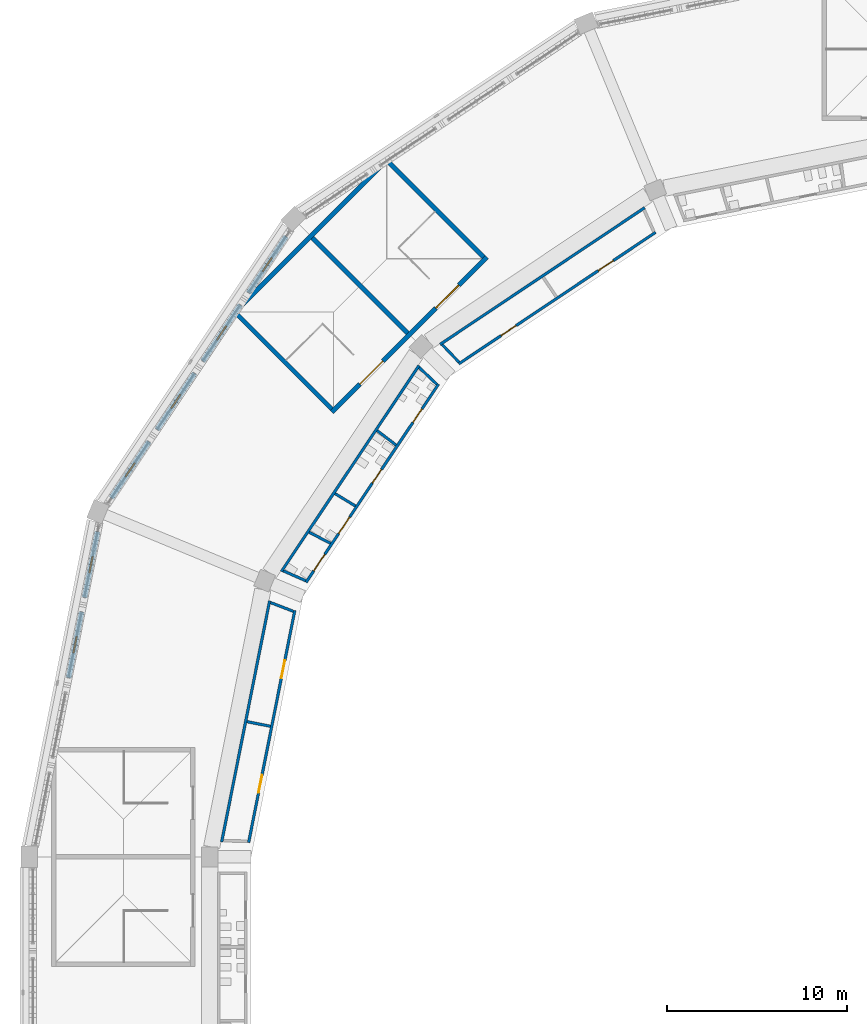
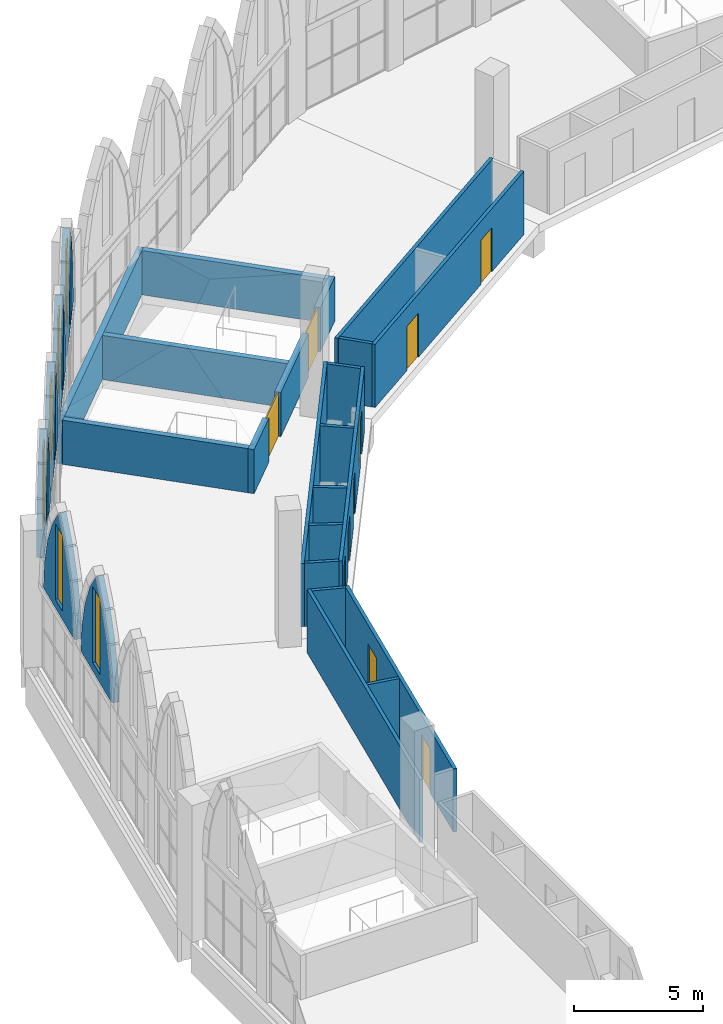
# One storey, part 78 of 130: 25 walls, 10 doors, 6 windows, 16 openings.
"""IFC4 building model written with IfcOpenShell, lengths in metres."""

from ifc_helpers import new_model, si_unit, direction, frame, frame_2d, origin, place, context, subcontext, project, spatial, polyline, rectangle, outline, extrude, material, layer, layer_set, type_object, element, fill, save


model = new_model("IFC4")

# Units and contexts
model_context = context("Model", 3, precision=1e-05, world=origin(), true_north=direction((0.0, 1.0)))
body_context = subcontext(model_context, "Body", "Model", "MODEL_VIEW")
ifc_project = project(units=[si_unit("LENGTHUNIT", "METRE"), si_unit("AREAUNIT", "SQUARE_METRE"), si_unit("VOLUMEUNIT", "CUBIC_METRE"), si_unit("PLANEANGLEUNIT", "RADIAN"), si_unit("MASSUNIT", "GRAM", prefix="KILO")], contexts=[model_context])

# Site, building, storey
site_placement = place(None, origin())
site = spatial("IfcSite", under=ifc_project, at=site_placement, CompositionType="ELEMENT")
building_placement = place(site_placement, origin())
building = spatial("IfcBuilding", under=site, at=building_placement, Name="Ogive Plaza Stadium", CompositionType="ELEMENT")
storey_placement = place(building_placement, frame((0.0, 0.0, 22.5)))
storey = spatial("IfcBuildingStorey", under=building, at=storey_placement, Name="L05", CompositionType="ELEMENT", Elevation=22.5)

# Wall, openings, doors
ifc_material_1 = material(Name="Masonry blockwork", Category="masonry")
ifc_layer_1 = layer(ifc_material_1, 0.14990234375)
ifc_layer_set_1 = layer_set([ifc_layer_1], Name="Blockwork wall 150")
wall_type_1 = type_object("IfcWallType", Name="Blockwork wall 150", PredefinedType="SOLIDWALL", material=ifc_layer_set_1)
wall_1_placement = place(storey_placement, frame((-71.84228515625, 53.29345703125, 0.0), z_axis=(0.0, 0.0, 1.0), x_axis=(0.195095631841, 0.980784224198, 0.0)))
wall_1 = element("IfcWall", 1, at=wall_1_placement, inside=storey, type_object=wall_type_1, Name="Wall L05 B28", PredefinedType="SOLIDWALL", context=body_context, shape_type="SweptSolid", body=[
    extrude(rectangle(XDim=13.11328125, YDim=0.14990234375, at=frame_2d((6.556640625, 0.0))), origin(), (0.0, 0.0, 1.0), 3.0),
])
opening_1_placement = place(wall_1_placement, frame((2.81494140625, 0.0, 0.0)))
opening_1 = element("IfcOpeningElement", 2, at=opening_1_placement, cuts=wall_1, Name="Opening D0999", PredefinedType="OPENING", context=body_context, shape_type="SweptSolid", body=[
    extrude(rectangle(XDim=1.0, YDim=2.10009765625, at=frame_2d((0.5, 1.050048828125))), frame((0.0, 0.074951171875, 0.0), z_axis=(0.0, -1.0, 0.0), x_axis=(1.0, 0.0, 0.0)), (0.0, 0.0, 1.0), 0.14990234375),
])
opening_2_placement = place(wall_1_placement, frame((9.298095703125, 0.0, 0.0)))
opening_2 = element("IfcOpeningElement", 3, at=opening_2_placement, cuts=wall_1, Name="Opening D1000", PredefinedType="OPENING", context=body_context, shape_type="SweptSolid", body=[
    extrude(rectangle(XDim=1.0, YDim=2.10009765625, at=frame_2d((0.5, 1.050048828125))), frame((0.0, 0.074951171875, 0.0), z_axis=(0.0, -1.0, 0.0), x_axis=(1.0, 0.0, 0.0)), (0.0, 0.0, 1.0), 0.14990234375),
])
ifc_material_2 = material(Name="Steel ASTM A572 Grade 50", Category="steel")
door_type_1 = type_object("IfcDoorType", Name="Door 1000 x 2100", OperationType="SINGLE_SWING_LEFT", PredefinedType="DOOR", material=ifc_material_2)
door_1_placement = place(opening_1_placement, origin())
door_1 = element("IfcDoor", 4, at=door_1_placement, inside=storey, type_object=door_type_1, Name="Concession Stand B28 door", OperationType="SINGLE_SWING_LEFT", OverallHeight=2.10009765625, OverallWidth=1.0, PredefinedType="DOOR", context=body_context, shape_type="SweptSolid", body=[
    extrude(rectangle(XDim=1.0, YDim=2.10009765625, at=frame_2d((0.5, 1.050048828125))), frame((0.0, 0.02490234375, 0.0), z_axis=(0.0, -1.0, 0.0), x_axis=(1.0, 0.0, 0.0)), (0.0, 0.0, 1.0), 0.050048828125),
])
fill(opening_1, door_1)
door_2_placement = place(opening_2_placement, origin())
door_2 = element("IfcDoor", 5, at=door_2_placement, inside=storey, type_object=door_type_1, Name="Concession Stand B28 door", OperationType="SINGLE_SWING_RIGHT", OverallHeight=2.10009765625, OverallWidth=1.0, PredefinedType="DOOR", context=body_context, shape_type="SweptSolid", body=[
    extrude(rectangle(XDim=1.0, YDim=2.10009765625, at=frame_2d((0.5, 1.050048828125))), frame((0.0, 0.02490234375, 0.0), z_axis=(0.0, -1.0, 0.0), x_axis=(1.0, 0.0, 0.0)), (0.0, 0.0, 1.0), 0.050048828125),
])
fill(opening_2, door_2)

# Walls
wall_2_placement = place(storey_placement, frame((-73.3359375, 53.32470703125, 0.0), z_axis=(0.0, 0.0, 1.0), x_axis=(0.195086146928, 0.980786110871, 0.0)))
element("IfcWall", 6, at=wall_2_placement, inside=storey, type_object=wall_type_1, Name="Wall L05 B28", PredefinedType="SOLIDWALL", context=body_context, shape_type="SweptSolid", body=[
    extrude(rectangle(XDim=13.630859375, YDim=0.14990234375, at=frame_2d((6.8154296875, 0.0))), origin(), (0.0, 0.0, 1.0), 3.0),
])
wall_3_placement = place(storey_placement, frame((-70.63525390625, 59.73828125, 0.0), z_axis=(0.0, 0.0, 1.0), x_axis=(-0.981038980953, 0.193810520485, 0.0)))
element("IfcWall", 7, at=wall_3_placement, inside=storey, type_object=wall_type_1, Name="Wall L05 B28", PredefinedType="SOLIDWALL", context=body_context, shape_type="SweptSolid", body=[
    extrude(rectangle(XDim=1.323974609375, YDim=0.14990234375, at=frame_2d((0.662109375, 0.0))), origin(), (0.0, 0.0, 1.0), 3.0),
])
wall_4_placement = place(storey_placement, frame((-69.367919921875, 66.109375, 0.0), z_axis=(0.0, 0.0, 1.0), x_axis=(-0.933331557443, 0.359015603953, 0.0)))
element("IfcWall", 8, at=wall_4_placement, inside=storey, type_object=wall_type_1, Name="Wall L05 B28", PredefinedType="SOLIDWALL", context=body_context, shape_type="SweptSolid", body=[
    extrude(rectangle(XDim=1.34375, YDim=0.14990234375, at=frame_2d((0.671875, 0.0))), origin(), (0.0, 0.0, 1.0), 3.0),
])

# Wall, openings, doors
wall_5_placement = place(storey_placement, frame((-60.197265625, 79.819580078125, 0.0), z_axis=(0.0, 0.0, 1.0), x_axis=(0.831471244595, 0.555567790114, 0.0)))
wall_5 = element("IfcWall", 9, at=wall_5_placement, inside=storey, type_object=wall_type_1, Name="Wall L05 B30", PredefinedType="SOLIDWALL", context=body_context, shape_type="SweptSolid", body=[
    extrude(rectangle(XDim=13.113037109375, YDim=0.14990234375, at=frame_2d((6.556640625, 0.0))), origin(), (0.0, 0.0, 1.0), 3.0),
])
opening_3_placement = place(wall_5_placement, frame((2.81494140625, 0.0, 0.0)))
opening_3 = element("IfcOpeningElement", 10, at=opening_3_placement, cuts=wall_5, Name="Opening D1005", PredefinedType="OPENING", context=body_context, shape_type="SweptSolid", body=[
    extrude(rectangle(XDim=1.0, YDim=2.10009765625, at=frame_2d((0.5, 1.050048828125))), frame((0.0, 0.074951171875, 0.0), z_axis=(0.0, -1.0, 0.0), x_axis=(1.0, 0.0, 0.0)), (0.0, 0.0, 1.0), 0.14990234375),
])
opening_4_placement = place(wall_5_placement, frame((9.298095703125, 0.0, 0.0)))
opening_4 = element("IfcOpeningElement", 11, at=opening_4_placement, cuts=wall_5, Name="Opening D1006", PredefinedType="OPENING", context=body_context, shape_type="SweptSolid", body=[
    extrude(rectangle(XDim=1.0, YDim=2.10009765625, at=frame_2d((0.5, 1.050048828125))), frame((0.0, 0.074951171875, 0.0), z_axis=(0.0, -1.0, 0.0), x_axis=(1.0, 0.0, 0.0)), (0.0, 0.0, 1.0), 0.14990234375),
])
door_3_placement = place(opening_3_placement, origin())
door_3 = element("IfcDoor", 12, at=door_3_placement, inside=storey, type_object=door_type_1, Name="Concession Stand B30 door", OperationType="SINGLE_SWING_LEFT", OverallHeight=2.10009765625, OverallWidth=1.0, PredefinedType="DOOR", context=body_context, shape_type="SweptSolid", body=[
    extrude(rectangle(XDim=1.0, YDim=2.10009765625, at=frame_2d((0.5, 1.050048828125))), frame((0.0, 0.02490234375, 0.0), z_axis=(0.0, -1.0, 0.0), x_axis=(1.0, 0.0, 0.0)), (0.0, 0.0, 1.0), 0.050048828125),
])
fill(opening_3, door_3)
door_4_placement = place(opening_4_placement, origin())
door_4 = element("IfcDoor", 13, at=door_4_placement, inside=storey, type_object=door_type_1, Name="Concession Stand B30 door", OperationType="SINGLE_SWING_RIGHT", OverallHeight=2.10009765625, OverallWidth=1.0, PredefinedType="DOOR", context=body_context, shape_type="SweptSolid", body=[
    extrude(rectangle(XDim=1.0, YDim=2.10009765625, at=frame_2d((0.5, 1.050048828125))), frame((0.0, 0.02490234375, 0.0), z_axis=(0.0, -1.0, 0.0), x_axis=(1.0, 0.0, 0.0)), (0.0, 0.0, 1.0), 0.050048828125),
])
fill(opening_4, door_4)

# Walls
wall_6_placement = place(storey_placement, frame((-61.2314453125, 80.89794921875, 0.0), z_axis=(0.0, 0.0, 1.0), x_axis=(0.831471173823, 0.555567896033, 0.0)))
element("IfcWall", 14, at=wall_6_placement, inside=storey, type_object=wall_type_1, Name="Wall L05 B30", PredefinedType="SOLIDWALL", context=body_context, shape_type="SweptSolid", body=[
    extrude(rectangle(XDim=13.630615234375, YDim=0.14990234375, at=frame_2d((6.8154296875, 0.0))), origin(), (0.0, 0.0, 1.0), 3.0),
])
wall_7_placement = place(storey_placement, frame((-60.187744140625, 79.914306640625, 0.0), z_axis=(0.0, 0.0, 1.0), x_axis=(-0.690665776072, 0.723174104738, 0.0)))
element("IfcWall", 15, at=wall_7_placement, inside=storey, type_object=wall_type_1, Name="Wall L05 B30", PredefinedType="SOLIDWALL", context=body_context, shape_type="SweptSolid", body=[
    extrude(rectangle(XDim=1.34423828125, YDim=0.14990234375, at=frame_2d((0.672119140625, 0.0))), origin(), (0.0, 0.0, 1.0), 3.0),
])

# Wall, openings, doors
ifc_material_3 = material(Name="Concrete C40/50", Category="concrete")
ifc_layer_2 = layer(ifc_material_3, 0.25)
ifc_layer_set_2 = layer_set([ifc_layer_2], Name="Concrete C40/50")
wall_type_2 = type_object("IfcWallType", Name="Core wall 250", PredefinedType="SHEAR", material=ifc_layer_set_2)
wall_8_placement = place(storey_placement, frame((-58.642578125, 85.734130859375, 0.0), z_axis=(0.0, 0.0, 1.0), x_axis=(-0.707106781187, -0.707106781187, 0.0)))
wall_8 = element("IfcWall", 16, at=wall_8_placement, inside=storey, type_object=wall_type_2, Name="Stair core R30 inner wall", PredefinedType="SHEAR", context=body_context, shape_type="SweptSolid", body=[
    extrude(rectangle(XDim=12.150390625, YDim=0.25, at=frame_2d((6.0751953125, 0.0))), origin(), (0.0, 0.0, 1.0), 2.10009765625),
])
opening_5_placement = place(wall_8_placement, frame((2.199951171875, 0.0, 0.0)))
opening_5 = element("IfcOpeningElement", 17, at=opening_5_placement, cuts=wall_8, Name="Opening D0231", PredefinedType="OPENING", context=body_context, shape_type="SweptSolid", body=[
    extrude(rectangle(XDim=1.800048828125, YDim=2.10009765625, at=frame_2d((0.89990234375, 1.050048828125))), frame((0.0, 0.125, 0.0), z_axis=(0.0, -1.0, 0.0), x_axis=(1.0, 0.0, 0.0)), (0.0, 0.0, 1.0), 0.25),
])
opening_6_placement = place(wall_8_placement, frame((8.14990234375, 0.0, 0.0)))
opening_6 = element("IfcOpeningElement", 18, at=opening_6_placement, cuts=wall_8, Name="Opening D0232", PredefinedType="OPENING", context=body_context, shape_type="SweptSolid", body=[
    extrude(rectangle(XDim=1.800048828125, YDim=2.10009765625, at=frame_2d((0.89990234375, 1.050048828125))), frame((0.0, 0.125, 0.0), z_axis=(0.0, -1.0, 0.0), x_axis=(1.0, 0.0, 0.0)), (0.0, 0.0, 1.0), 0.25),
])
ifc_material_4 = material(Name="Steel ASTM A572 Grade 50", Category="steel")
door_type_2 = type_object("IfcDoorType", Name="Fire door FD90 pair 1800 x 2100", OperationType="DOUBLE_DOOR_SINGLE_SWING", PredefinedType="DOOR", material=ifc_material_4)
door_5_placement = place(opening_5_placement, origin())
door_5 = element("IfcDoor", 19, at=door_5_placement, inside=storey, type_object=door_type_2, Name="Exit stair R30A door L05", OperationType="DOUBLE_DOOR_SINGLE_SWING", OverallHeight=2.10009765625, OverallWidth=1.800048828125, PredefinedType="DOOR", context=body_context, shape_type="SweptSolid", body=[
    extrude(rectangle(XDim=1.800048828125, YDim=2.10009765625, at=frame_2d((0.89990234375, 1.050048828125))), frame((0.0, 0.02490234375, 0.0), z_axis=(0.0, -1.0, 0.0), x_axis=(1.0, 0.0, 0.0)), (0.0, 0.0, 1.0), 0.050048828125),
])
fill(opening_5, door_5)
door_6_placement = place(opening_6_placement, origin())
door_6 = element("IfcDoor", 20, at=door_6_placement, inside=storey, type_object=door_type_2, Name="Exit stair R30B door L05", OperationType="DOUBLE_DOOR_SINGLE_SWING", OverallHeight=2.10009765625, OverallWidth=1.800048828125, PredefinedType="DOOR", context=body_context, shape_type="SweptSolid", body=[
    extrude(rectangle(XDim=1.800048828125, YDim=2.10009765625, at=frame_2d((0.89990234375, 1.050048828125))), frame((0.0, 0.02490234375, 0.0), z_axis=(0.0, -1.0, 0.0), x_axis=(1.0, 0.0, 0.0)), (0.0, 0.0, 1.0), 0.050048828125),
])
fill(opening_6, door_6)

# Walls
wall_9_placement = place(storey_placement, frame((-64.094482421875, 91.185791015625, 0.0), z_axis=(0.0, 0.0, 1.0), x_axis=(-0.707106781187, -0.707106781187, 0.0)))
element("IfcWall", 21, at=wall_9_placement, inside=storey, type_object=wall_type_2, Name="Stair core R30 outer wall", PredefinedType="SHEAR", context=body_context, shape_type="SweptSolid", body=[
    extrude(rectangle(XDim=12.14990234375, YDim=0.25, at=frame_2d((6.074951171875, 0.0))), origin(), (0.0, 0.0, 1.0), 2.10009765625),
])
for number, where, z_axis, x_axis, name in (
    (22, (-58.8193359375, 85.734130859375, 0.0), (0.0, 0.0, 1.0), (-0.707123144286, 0.707090417709, 0.0), "Stair core R30 side wall"),
    (23, (-67.234130859375, 77.3193359375, 0.0), (0.0, 0.0, 1.0), (-0.707090417709, 0.707123144286, 0.0), "Stair core R30 side wall"),
):
    element("IfcWall", number, at=place(storey_placement, frame(where, z_axis=z_axis, x_axis=x_axis)), inside=storey, type_object=wall_type_2, Name=name, PredefinedType="SHEAR", context=body_context, shape_type="SweptSolid", body=[
        extrude(rectangle(XDim=7.4599609375, YDim=0.25, at=frame_2d((3.72998046875, 0.0))), origin(), (0.0, 0.0, 1.0), 2.10009765625),
    ])
wall_10_placement = place(storey_placement, frame((-63.026611328125, 81.526611328125, 0.0), z_axis=(0.0, 0.0, 1.0), x_axis=(-0.707106781187, 0.707106781187, 0.0)))
element("IfcWall", 24, at=wall_10_placement, inside=storey, type_object=wall_type_2, Name="Stair core R30 centre wall", PredefinedType="SHEAR", context=body_context, shape_type="SweptSolid", body=[
    extrude(rectangle(XDim=7.460205078125, YDim=0.25, at=frame_2d((3.72998046875, 0.0))), origin(), (0.0, 0.0, 1.0), 2.10009765625),
])

# Wall, openings, doors
ifc_material_5 = material(Name="Gypsum board partition", Category="gypsum")
ifc_layer_3 = layer(ifc_material_5, 0.14990234375)
ifc_layer_set_3 = layer_set([ifc_layer_3], Name="Partition 150")
wall_type_3 = type_object("IfcWallType", Name="Partition 150", PredefinedType="PARTITIONING", material=ifc_layer_set_3)
wall_11_placement = place(storey_placement, frame((-61.319580078125, 78.697265625, 0.0), z_axis=(0.0, 0.0, 1.0), x_axis=(-0.555570028225, -0.831469749142, 0.0)))
wall_11 = element("IfcWall", 25, at=wall_11_placement, inside=storey, type_object=wall_type_3, Name="Wall L05 B29", PredefinedType="PARTITIONING", context=body_context, shape_type="SweptSolid", body=[
    extrude(rectangle(XDim=13.208740234375, YDim=0.14990234375, at=frame_2d((6.6044921875, 0.0))), origin(), (0.0, 0.0, 1.0), 3.0),
])
opening_7_placement = place(wall_11_placement, frame((1.648193359375, 0.0, 0.0)))
opening_7 = element("IfcOpeningElement", 26, at=opening_7_placement, cuts=wall_11, Name="Opening D1001", PredefinedType="OPENING", context=body_context, shape_type="SweptSolid", body=[
    extrude(rectangle(XDim=0.89990234375, YDim=2.10009765625, at=frame_2d((0.449951171875, 1.050048828125))), frame((0.0, 0.074951171875, 0.0), z_axis=(0.0, -1.0, 0.0), x_axis=(1.0, 0.0, 0.0)), (0.0, 0.0, 1.0), 0.14990234375),
])
opening_8_placement = place(wall_11_placement, frame((5.697265625, 0.0, 0.0)))
opening_8 = element("IfcOpeningElement", 27, at=opening_8_placement, cuts=wall_11, Name="Opening D1002", PredefinedType="OPENING", context=body_context, shape_type="SweptSolid", body=[
    extrude(rectangle(XDim=0.89990234375, YDim=2.10009765625, at=frame_2d((0.449951171875, 1.050048828125))), frame((0.0, 0.074951171875, 0.0), z_axis=(0.0, -1.0, 0.0), x_axis=(1.0, 0.0, 0.0)), (0.0, 0.0, 1.0), 0.14990234375),
])
opening_9_placement = place(wall_11_placement, frame((8.862548828125, 0.0, 0.0)))
opening_9 = element("IfcOpeningElement", 28, at=opening_9_placement, cuts=wall_11, Name="Opening D1003", PredefinedType="OPENING", context=body_context, shape_type="SweptSolid", body=[
    extrude(rectangle(XDim=1.10009765625, YDim=2.10009765625, at=frame_2d((0.550048828125, 1.050048828125))), frame((0.0, 0.074951171875, 0.0), z_axis=(0.0, -1.0, 0.0), x_axis=(1.0, 0.0, 0.0)), (0.0, 0.0, 1.0), 0.14990234375),
])
opening_10_placement = place(wall_11_placement, frame((11.344482421875, 0.0, 0.0)))
opening_10 = element("IfcOpeningElement", 29, at=opening_10_placement, cuts=wall_11, Name="Opening D1004", PredefinedType="OPENING", context=body_context, shape_type="SweptSolid", body=[
    extrude(rectangle(XDim=1.10009765625, YDim=2.10009765625, at=frame_2d((0.550048828125, 1.050048828125))), frame((0.0, 0.074951171875, 0.0), z_axis=(0.0, -1.0, 0.0), x_axis=(1.0, 0.0, 0.0)), (0.0, 0.0, 1.0), 0.14990234375),
])
ifc_material_6 = material(Name="Steel ASTM A572 Grade 50", Category="steel")
door_type_3 = type_object("IfcDoorType", Name="Accessible door 1100 x 2100", OperationType="SINGLE_SWING_LEFT", PredefinedType="DOOR", material=ifc_material_6)
door_7_placement = place(opening_9_placement, origin())
door_7 = element("IfcDoor", 30, at=door_7_placement, inside=storey, type_object=door_type_3, Name="Accessible WC B29 door", OperationType="SINGLE_SWING_LEFT", OverallHeight=2.10009765625, OverallWidth=1.10009765625, PredefinedType="DOOR", context=body_context, shape_type="SweptSolid", body=[
    extrude(rectangle(XDim=1.10009765625, YDim=2.10009765625, at=frame_2d((0.550048828125, 1.050048828125))), frame((0.0, 0.02490234375, 0.0), z_axis=(0.0, -1.0, 0.0), x_axis=(1.0, 0.0, 0.0)), (0.0, 0.0, 1.0), 0.050048828125),
])
fill(opening_9, door_7)
door_8_placement = place(opening_10_placement, origin())
door_8 = element("IfcDoor", 31, at=door_8_placement, inside=storey, type_object=door_type_3, Name="Family WC B29 door", OperationType="SINGLE_SWING_LEFT", OverallHeight=2.10009765625, OverallWidth=1.10009765625, PredefinedType="DOOR", context=body_context, shape_type="SweptSolid", body=[
    extrude(rectangle(XDim=1.10009765625, YDim=2.10009765625, at=frame_2d((0.550048828125, 1.050048828125))), frame((0.0, 0.02490234375, 0.0), z_axis=(0.0, -1.0, 0.0), x_axis=(1.0, 0.0, 0.0)), (0.0, 0.0, 1.0), 0.050048828125),
])
fill(opening_10, door_8)
ifc_material_7 = material(Name="Steel ASTM A572 Grade 50", Category="steel")
door_type_4 = type_object("IfcDoorType", Name="Door 900 x 2100", OperationType="SINGLE_SWING_LEFT", PredefinedType="DOOR", material=ifc_material_7)
door_9_placement = place(opening_7_placement, origin())
door_9 = element("IfcDoor", 32, at=door_9_placement, inside=storey, type_object=door_type_4, Name="Men's Toilet B29 door", OperationType="SINGLE_SWING_RIGHT", OverallHeight=2.10009765625, OverallWidth=0.89990234375, PredefinedType="DOOR", context=body_context, shape_type="SweptSolid", body=[
    extrude(rectangle(XDim=0.89990234375, YDim=2.10009765625, at=frame_2d((0.449951171875, 1.050048828125))), frame((0.0, 0.02490234375, 0.0), z_axis=(0.0, -1.0, 0.0), x_axis=(1.0, 0.0, 0.0)), (0.0, 0.0, 1.0), 0.050048828125),
])
fill(opening_7, door_9)
door_10_placement = place(opening_8_placement, origin())
door_10 = element("IfcDoor", 33, at=door_10_placement, inside=storey, type_object=door_type_4, Name="Women's Toilet B29 door", OperationType="SINGLE_SWING_LEFT", OverallHeight=2.10009765625, OverallWidth=0.89990234375, PredefinedType="DOOR", context=body_context, shape_type="SweptSolid", body=[
    extrude(rectangle(XDim=0.89990234375, YDim=2.10009765625, at=frame_2d((0.449951171875, 1.050048828125))), frame((0.0, 0.02490234375, 0.0), z_axis=(0.0, -1.0, 0.0), x_axis=(1.0, 0.0, 0.0)), (0.0, 0.0, 1.0), 0.050048828125),
])
fill(opening_8, door_10)

# Walls
wall_12_placement = place(storey_placement, frame((-62.39794921875, 79.7314453125, 0.0), z_axis=(0.0, 0.0, 1.0), x_axis=(-0.555573905052, -0.831467158717, 0.0)))
element("IfcWall", 34, at=wall_12_placement, inside=storey, type_object=wall_type_3, Name="Wall L05 B29", PredefinedType="PARTITIONING", context=body_context, shape_type="SweptSolid", body=[
    extrude(rectangle(XDim=13.730224609375, YDim=0.14990234375, at=frame_2d((6.865234375, 0.0))), origin(), (0.0, 0.0, 1.0), 3.0),
])
wall_13_placement = place(storey_placement, frame((-61.414306640625, 78.687744140625, 0.0), z_axis=(0.0, 0.0, 1.0), x_axis=(-0.723174104738, 0.690665776072, 0.0)))
element("IfcWall", 35, at=wall_13_placement, inside=storey, type_object=wall_type_3, Name="Wall L05 B29", PredefinedType="PARTITIONING", context=body_context, shape_type="SweptSolid", body=[
    extrude(rectangle(XDim=1.34423828125, YDim=0.14990234375, at=frame_2d((0.672119140625, 0.0))), origin(), (0.0, 0.0, 1.0), 3.0),
])
wall_14_placement = place(storey_placement, frame((-63.66845703125, 75.314453125, 0.0), z_axis=(0.0, 0.0, 1.0), x_axis=(-0.792767594219, 0.609524028695, 0.0)))
element("IfcWall", 36, at=wall_14_placement, inside=storey, type_object=wall_type_3, Name="Wall L05 B29", PredefinedType="PARTITIONING", context=body_context, shape_type="SweptSolid", body=[
    extrude(rectangle(XDim=1.326904296875, YDim=0.14990234375, at=frame_2d((0.66357421875, 0.0))), origin(), (0.0, 0.0, 1.0), 3.0),
])
wall_15_placement = place(storey_placement, frame((-65.92236328125, 71.941162109375, 0.0), z_axis=(0.0, 0.0, 1.0), x_axis=(-0.854109602484, 0.520093056043, 0.0)))
element("IfcWall", 37, at=wall_15_placement, inside=storey, type_object=wall_type_3, Name="Wall L05 B29", PredefinedType="PARTITIONING", context=body_context, shape_type="SweptSolid", body=[
    extrude(rectangle(XDim=1.3251953125, YDim=0.14990234375, at=frame_2d((0.66259765625, 0.0))), origin(), (0.0, 0.0, 1.0), 3.0),
])
wall_16_placement = place(storey_placement, frame((-67.303955078125, 69.87353515625, 0.0), z_axis=(0.0, 0.0, 1.0), x_axis=(-0.886633867097, 0.462472037768, 0.0)))
element("IfcWall", 38, at=wall_16_placement, inside=storey, type_object=wall_type_3, Name="Wall L05 B29", PredefinedType="PARTITIONING", context=body_context, shape_type="SweptSolid", body=[
    extrude(rectangle(XDim=1.331787109375, YDim=0.14990234375, at=frame_2d((0.666015625, 0.0))), origin(), (0.0, 0.0, 1.0), 3.0),
])
wall_17_placement = place(storey_placement, frame((-68.685302734375, 67.805908203125, 0.0), z_axis=(0.0, 0.0, 1.0), x_axis=(-0.914894130368, 0.403693857048, 0.0)))
element("IfcWall", 39, at=wall_17_placement, inside=storey, type_object=wall_type_3, Name="Wall L05 B29", PredefinedType="PARTITIONING", context=body_context, shape_type="SweptSolid", body=[
    extrude(rectangle(XDim=1.344482421875, YDim=0.14990234375, at=frame_2d((0.67236328125, 0.0))), origin(), (0.0, 0.0, 1.0), 3.0),
])

# Wall, opening, window
ifc_material_8 = material(Name="Concrete C45/55 precast", Category="concrete")
ifc_layer_4 = layer(ifc_material_8, 0.25)
ifc_material_9 = material(Name="Cast stone (reconstituted limestone)", Category="masonry")
ifc_layer_5 = layer(ifc_material_9, 0.050048828125)
ifc_layer_set_4 = layer_set([ifc_layer_4, ifc_layer_5], Name="Concrete C45/55 precast, cast stone facing")
wall_type_4 = type_object("IfcWallType", Name="Tympanum wall 300", PredefinedType="SOLIDWALL", material=ifc_layer_set_4)
wall_18_placement = place(storey_placement, frame((-81.82275390625, 62.42041015625, 4.10009765625), z_axis=(0.0, 0.0, 1.0), x_axis=(0.19509691132, 0.980783969686, 0.0)))
wall_18 = element("IfcWall", 40, at=wall_18_placement, inside=storey, type_object=wall_type_4, Name="TYMPANUM B28 3", PredefinedType="SOLIDWALL", context=body_context, shape_type="SweptSolid", body=[
    extrude(outline(polyline([(0.0, 0.0), (3.731689453125, 0.0), (3.731689453125, 0.0498046875), (3.60986328125, 1.309814453125), (3.248779296875, 2.574951171875), (2.66064453125, 3.751708984375), (1.86572265625, 4.7998046875), (1.07080078125, 3.751708984375), (0.48291015625, 2.574951171875), (0.121826171875, 1.309814453125), (0.0, 0.0498046875), (0.0, 0.0)])), frame((0.0, 0.14990234375, 0.0), z_axis=(0.0, -1.0, 0.0), x_axis=(1.0, 0.0, 0.0)), (0.0, 0.0, 1.0), 0.300048828125),
])
opening_11_placement = place(wall_18_placement, frame((1.415771484375, 0.0, 0.39990234375)))
opening_11 = element("IfcOpeningElement", 41, at=opening_11_placement, cuts=wall_18, Name="Opening W-28-3", PredefinedType="OPENING", context=body_context, shape_type="SweptSolid", body=[
    extrude(rectangle(XDim=0.89990234375, YDim=3.60009765625, at=frame_2d((0.449951171875, 1.800048828125))), frame((0.0, 0.16015625, 0.0), z_axis=(0.0, -1.0, 0.0), x_axis=(1.0, 0.0, 0.0)), (0.0, 0.0, 1.0), 0.320068359375),
])
ifc_material_10 = material(Name="Bronze-anodised aluminium and laminated glass", Category="aluminium")
window_type = type_object("IfcWindowType", Name="Lancet window 900 x 3600", PartitioningType="SINGLE_PANEL", PredefinedType="WINDOW", material=ifc_material_10)
window_1_placement = place(opening_11_placement, origin())
window_1 = element("IfcWindow", 42, at=window_1_placement, inside=storey, type_object=window_type, Name="LANCET WINDOW B28 3", OverallHeight=3.60009765625, OverallWidth=0.89990234375, PartitioningType="SINGLE_PANEL", PredefinedType="WINDOW", context=body_context, shape_type="SweptSolid", body=[
    extrude(rectangle(XDim=0.89990234375, YDim=3.60009765625, at=frame_2d((0.449951171875, 1.800048828125))), frame((0.0, 0.030029296875, 0.0), z_axis=(0.0, -1.0, 0.0), x_axis=(1.0, 0.0, 0.0)), (0.0, 0.0, 1.0), 0.06005859375),
])
fill(opening_11, window_1)

wall_19_placement = place(storey_placement, frame((-80.938720703125, 66.864990234375, 4.10009765625), z_axis=(0.0, 0.0, 1.0), x_axis=(0.19509691132, 0.980783969686, 0.0)))
wall_19 = element("IfcWall", 43, at=wall_19_placement, inside=storey, type_object=wall_type_4, Name="TYMPANUM B28 4", PredefinedType="SOLIDWALL", context=body_context, shape_type="SweptSolid", body=[
    extrude(outline(polyline([(0.0, 0.0), (3.731689453125, 0.0), (3.731689453125, 0.0498046875), (3.60986328125, 1.309814453125), (3.248779296875, 2.574951171875), (2.66064453125, 3.751708984375), (1.86572265625, 4.7998046875), (1.07080078125, 3.751708984375), (0.48291015625, 2.574951171875), (0.121826171875, 1.309814453125), (0.0, 0.0498046875), (0.0, 0.0)])), frame((0.0, 0.14990234375, 0.0), z_axis=(0.0, -1.0, 0.0), x_axis=(1.0, 0.0, 0.0)), (0.0, 0.0, 1.0), 0.300048828125),
])
opening_12_placement = place(wall_19_placement, frame((1.415771484375, 0.0, 0.39990234375)))
opening_12 = element("IfcOpeningElement", 44, at=opening_12_placement, cuts=wall_19, Name="Opening W-28-4", PredefinedType="OPENING", context=body_context, shape_type="SweptSolid", body=[
    extrude(rectangle(XDim=0.89990234375, YDim=3.60009765625, at=frame_2d((0.449951171875, 1.800048828125))), frame((0.0, 0.16015625, 0.0), z_axis=(0.0, -1.0, 0.0), x_axis=(1.0, 0.0, 0.0)), (0.0, 0.0, 1.0), 0.320068359375),
])
window_2_placement = place(opening_12_placement, origin())
window_2 = element("IfcWindow", 45, at=window_2_placement, inside=storey, type_object=window_type, Name="LANCET WINDOW B28 4", OverallHeight=3.60009765625, OverallWidth=0.89990234375, PartitioningType="SINGLE_PANEL", PredefinedType="WINDOW", context=body_context, shape_type="SweptSolid", body=[
    extrude(rectangle(XDim=0.89990234375, YDim=3.60009765625, at=frame_2d((0.449951171875, 1.800048828125))), frame((0.0, 0.030029296875, 0.0), z_axis=(0.0, -1.0, 0.0), x_axis=(1.0, 0.0, 0.0)), (0.0, 0.0, 1.0), 0.06005859375),
])
fill(opening_12, window_2)

wall_20_placement = place(storey_placement, frame((-79.44970703125, 72.38818359375, 4.10009765625), z_axis=(0.0, 0.0, 1.0), x_axis=(0.555599628384, 0.831449970196, 0.0)))
wall_20 = element("IfcWall", 46, at=wall_20_placement, inside=storey, type_object=wall_type_4, Name="TYMPANUM B29 1", PredefinedType="SOLIDWALL", context=body_context, shape_type="SweptSolid", body=[
    extrude(outline(polyline([(0.0, 0.0), (3.757080078125, 0.0), (3.757080078125, 0.0498046875), (3.634521484375, 1.311279296875), (3.270751953125, 2.5771484375), (2.678466796875, 3.753662109375), (1.878662109375, 4.7998046875), (1.07861328125, 3.753662109375), (0.486328125, 2.5771484375), (0.12255859375, 1.311279296875), (0.0, 0.0498046875), (0.0, 0.0)])), frame((0.0, 0.14990234375, 0.0), z_axis=(0.0, -1.0, 0.0), x_axis=(1.0, 0.0, 0.0)), (0.0, 0.0, 1.0), 0.300048828125),
])
opening_13_placement = place(wall_20_placement, frame((1.428466796875, 0.0, 0.39990234375)))
opening_13 = element("IfcOpeningElement", 47, at=opening_13_placement, cuts=wall_20, Name="Opening W-29-1", PredefinedType="OPENING", context=body_context, shape_type="SweptSolid", body=[
    extrude(rectangle(XDim=0.89990234375, YDim=3.60009765625, at=frame_2d((0.449951171875, 1.800048828125))), frame((0.0, 0.16015625, 0.0), z_axis=(0.0, -1.0, 0.0), x_axis=(1.0, 0.0, 0.0)), (0.0, 0.0, 1.0), 0.320068359375),
])
window_3_placement = place(opening_13_placement, origin())
window_3 = element("IfcWindow", 48, at=window_3_placement, inside=storey, type_object=window_type, Name="LANCET WINDOW B29 1", OverallHeight=3.60009765625, OverallWidth=0.89990234375, PartitioningType="SINGLE_PANEL", PredefinedType="WINDOW", context=body_context, shape_type="SweptSolid", body=[
    extrude(rectangle(XDim=0.89990234375, YDim=3.60009765625, at=frame_2d((0.449951171875, 1.800048828125))), frame((0.0, 0.030029296875, 0.0), z_axis=(0.0, -1.0, 0.0), x_axis=(1.0, 0.0, 0.0)), (0.0, 0.0, 1.0), 0.06005859375),
])
fill(opening_13, window_3)

wall_21_placement = place(storey_placement, frame((-76.91796875, 76.17724609375, 4.10009765625), z_axis=(0.0, 0.0, 1.0), x_axis=(0.555599628384, 0.831449970196, 0.0)))
wall_21 = element("IfcWall", 49, at=wall_21_placement, inside=storey, type_object=wall_type_4, Name="TYMPANUM B29 2", PredefinedType="SOLIDWALL", context=body_context, shape_type="SweptSolid", body=[
    extrude(outline(polyline([(0.0, 0.0), (3.757080078125, 0.0), (3.757080078125, 0.0498046875), (3.634521484375, 1.311279296875), (3.270751953125, 2.5771484375), (2.678466796875, 3.753662109375), (1.878662109375, 4.7998046875), (1.07861328125, 3.753662109375), (0.486328125, 2.5771484375), (0.12255859375, 1.311279296875), (0.0, 0.0498046875), (0.0, 0.0)])), frame((0.0, 0.14990234375, 0.0), z_axis=(0.0, -1.0, 0.0), x_axis=(1.0, 0.0, 0.0)), (0.0, 0.0, 1.0), 0.300048828125),
])
opening_14_placement = place(wall_21_placement, frame((1.428466796875, 0.0, 0.39990234375)))
opening_14 = element("IfcOpeningElement", 50, at=opening_14_placement, cuts=wall_21, Name="Opening W-29-2", PredefinedType="OPENING", context=body_context, shape_type="SweptSolid", body=[
    extrude(rectangle(XDim=0.89990234375, YDim=3.60009765625, at=frame_2d((0.449951171875, 1.800048828125))), frame((0.0, 0.16015625, 0.0), z_axis=(0.0, -1.0, 0.0), x_axis=(1.0, 0.0, 0.0)), (0.0, 0.0, 1.0), 0.320068359375),
])
window_4_placement = place(opening_14_placement, origin())
window_4 = element("IfcWindow", 51, at=window_4_placement, inside=storey, type_object=window_type, Name="LANCET WINDOW B29 2", OverallHeight=3.60009765625, OverallWidth=0.89990234375, PartitioningType="SINGLE_PANEL", PredefinedType="WINDOW", context=body_context, shape_type="SweptSolid", body=[
    extrude(rectangle(XDim=0.89990234375, YDim=3.60009765625, at=frame_2d((0.449951171875, 1.800048828125))), frame((0.0, 0.030029296875, 0.0), z_axis=(0.0, -1.0, 0.0), x_axis=(1.0, 0.0, 0.0)), (0.0, 0.0, 1.0), 0.06005859375),
])
fill(opening_14, window_4)

wall_22_placement = place(storey_placement, frame((-74.38623046875, 79.96630859375, 4.10009765625), z_axis=(0.0, 0.0, 1.0), x_axis=(0.555599628384, 0.831449970196, 0.0)))
wall_22 = element("IfcWall", 52, at=wall_22_placement, inside=storey, type_object=wall_type_4, Name="TYMPANUM B29 3", PredefinedType="SOLIDWALL", context=body_context, shape_type="SweptSolid", body=[
    extrude(outline(polyline([(0.0, 0.0), (3.757080078125, 0.0), (3.757080078125, 0.0498046875), (3.634521484375, 1.311279296875), (3.270751953125, 2.5771484375), (2.678466796875, 3.753662109375), (1.878662109375, 4.7998046875), (1.07861328125, 3.753662109375), (0.486328125, 2.5771484375), (0.12255859375, 1.311279296875), (0.0, 0.0498046875), (0.0, 0.0)])), frame((0.0, 0.14990234375, 0.0), z_axis=(0.0, -1.0, 0.0), x_axis=(1.0, 0.0, 0.0)), (0.0, 0.0, 1.0), 0.300048828125),
])
opening_15_placement = place(wall_22_placement, frame((1.428466796875, 0.0, 0.39990234375)))
opening_15 = element("IfcOpeningElement", 53, at=opening_15_placement, cuts=wall_22, Name="Opening W-29-3", PredefinedType="OPENING", context=body_context, shape_type="SweptSolid", body=[
    extrude(rectangle(XDim=0.89990234375, YDim=3.60009765625, at=frame_2d((0.449951171875, 1.800048828125))), frame((0.0, 0.16015625, 0.0), z_axis=(0.0, -1.0, 0.0), x_axis=(1.0, 0.0, 0.0)), (0.0, 0.0, 1.0), 0.320068359375),
])
window_5_placement = place(opening_15_placement, origin())
window_5 = element("IfcWindow", 54, at=window_5_placement, inside=storey, type_object=window_type, Name="LANCET WINDOW B29 3", OverallHeight=3.60009765625, OverallWidth=0.89990234375, PartitioningType="SINGLE_PANEL", PredefinedType="WINDOW", context=body_context, shape_type="SweptSolid", body=[
    extrude(rectangle(XDim=0.89990234375, YDim=3.60009765625, at=frame_2d((0.449951171875, 1.800048828125))), frame((0.0, 0.030029296875, 0.0), z_axis=(0.0, -1.0, 0.0), x_axis=(1.0, 0.0, 0.0)), (0.0, 0.0, 1.0), 0.06005859375),
])
fill(opening_15, window_5)

wall_23_placement = place(storey_placement, frame((-71.854248046875, 83.75537109375, 4.10009765625), z_axis=(0.0, 0.0, 1.0), x_axis=(0.555554703021, 0.831479988906, 0.0)))
wall_23 = element("IfcWall", 55, at=wall_23_placement, inside=storey, type_object=wall_type_4, Name="TYMPANUM B29 4", PredefinedType="SOLIDWALL", context=body_context, shape_type="SweptSolid", body=[
    extrude(outline(polyline([(0.0, 0.0), (3.7568359375, 0.0), (3.757080078125, 0.0498046875), (3.634521484375, 1.311279296875), (3.270751953125, 2.5771484375), (2.678466796875, 3.753662109375), (1.878662109375, 4.7998046875), (1.07861328125, 3.753662109375), (0.486328125, 2.5771484375), (0.12255859375, 1.311279296875), (0.0, 0.0498046875), (0.0, 0.0)])), frame((0.0, 0.14990234375, 0.0), z_axis=(0.0, -1.0, 0.0), x_axis=(1.0, 0.0, 0.0)), (0.0, 0.0, 1.0), 0.300048828125),
])
opening_16_placement = place(wall_23_placement, frame((1.428466796875, 0.0, 0.39990234375)))
opening_16 = element("IfcOpeningElement", 56, at=opening_16_placement, cuts=wall_23, Name="Opening W-29-4", PredefinedType="OPENING", context=body_context, shape_type="SweptSolid", body=[
    extrude(rectangle(XDim=0.89990234375, YDim=3.60009765625, at=frame_2d((0.449951171875, 1.800048828125))), frame((0.0, 0.16015625, 0.0), z_axis=(0.0, -1.0, 0.0), x_axis=(1.0, 0.0, 0.0)), (0.0, 0.0, 1.0), 0.320068359375),
])
window_6_placement = place(opening_16_placement, origin())
window_6 = element("IfcWindow", 57, at=window_6_placement, inside=storey, type_object=window_type, Name="LANCET WINDOW B29 4", OverallHeight=3.60009765625, OverallWidth=0.89990234375, PartitioningType="SINGLE_PANEL", PredefinedType="WINDOW", context=body_context, shape_type="SweptSolid", body=[
    extrude(rectangle(XDim=0.89990234375, YDim=3.60009765625, at=frame_2d((0.449951171875, 1.800048828125))), frame((0.0, 0.030029296875, 0.0), z_axis=(0.0, -1.0, 0.0), x_axis=(1.0, 0.0, 0.0)), (0.0, 0.0, 1.0), 0.06005859375),
])
fill(opening_16, window_6)

save(model, "model.ifc")
